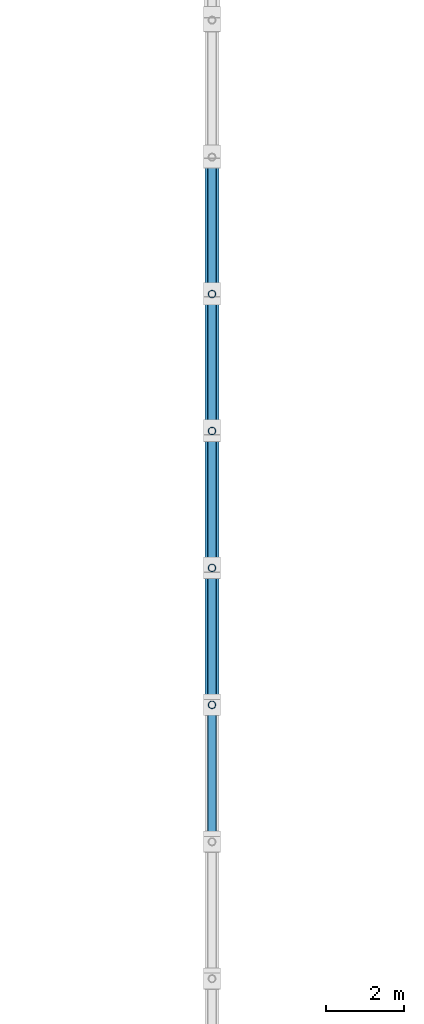
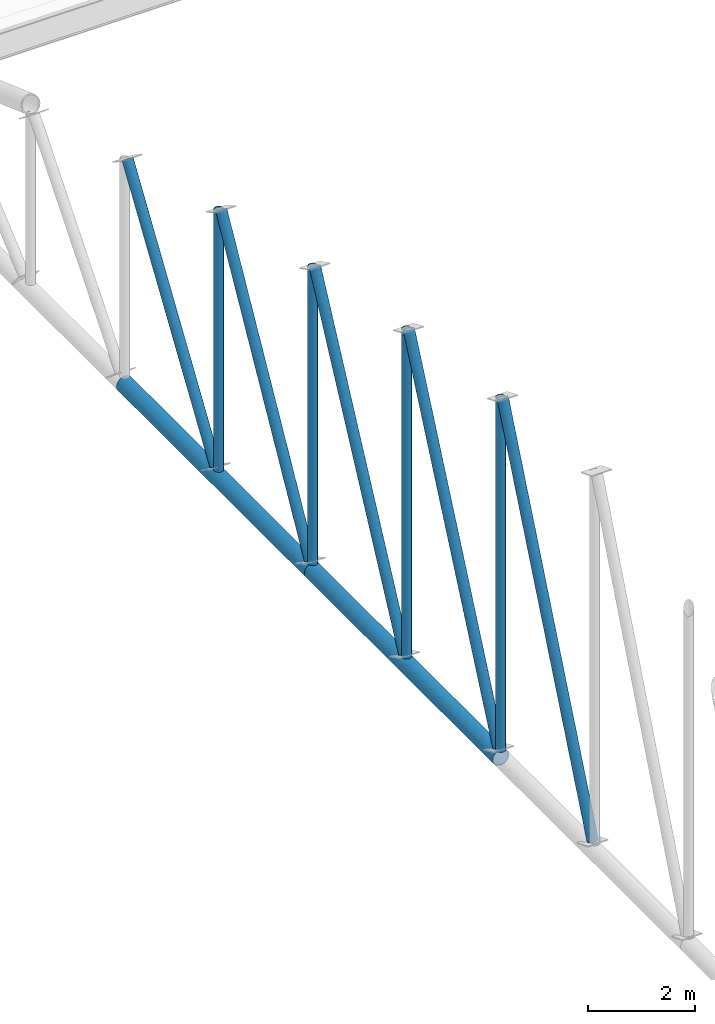
# One storey, part 76 of 196: 11 members.
"""IFC4 building model written with IfcOpenShell, lengths in metres."""

from ifc_helpers import new_model, si_unit, direction, frame, origin, origin_2d, place, context, subcontext, project, spatial, hollow_circle, extrude, material, material_profile, profile_set, type_object, element, save


model = new_model("IFC4")

# Units and contexts
model_context = context("Model", 3, precision=1e-05, world=origin(), true_north=direction((0.0, 1.0)))
body_context = subcontext(model_context, "Body", "Model", "MODEL_VIEW")
ifc_project = project(units=[si_unit("LENGTHUNIT", "METRE"), si_unit("AREAUNIT", "SQUARE_METRE"), si_unit("VOLUMEUNIT", "CUBIC_METRE"), si_unit("PLANEANGLEUNIT", "RADIAN"), si_unit("MASSUNIT", "GRAM", prefix="KILO")], contexts=[model_context])

# Site, building, storey
site_placement = place(None, origin())
site = spatial("IfcSite", under=ifc_project, at=site_placement, CompositionType="ELEMENT")
building_placement = place(site_placement, origin())
building = spatial("IfcBuilding", under=site, at=building_placement, Name="Okhra Congress Centre", CompositionType="ELEMENT")
storey_placement = place(building_placement, frame((0.0, 0.0, 12.0)))
storey = spatial("IfcBuildingStorey", under=building, at=storey_placement, Name="L02", CompositionType="ELEMENT", Elevation=12.0)

# Members
ifc_material = material(Name="Steel S355J2H", Category="steel")
ifc_material_profile_1 = material_profile(ifc_material, hollow_circle(Radius=0.096923828125, WallThickness=0.008056640625, at=origin_2d()), Name="CHS 193.7x8.0")
ifc_profile_set_1 = profile_set([ifc_material_profile_1], Name="Steel S355J2H")
member_type_1 = type_object("IfcMemberType", Name="CHS 193.7x8.0", PredefinedType="POST", material=ifc_profile_set_1)
member_1_placement = place(storey_placement, frame((100.0, 188.0, 1.577880859375), z_axis=(0.0, 0.0, 1.0), x_axis=(1.0, 0.0, 0.0)))
element("IfcMember", 1, at=member_1_placement, inside=storey, type_object=member_type_1, Name="EH.MEM.L02.T5-VER-16", PredefinedType="POST", context=body_context, shape_type="SweptSolid", body=[
    extrude(hollow_circle(Radius=0.096923828125, WallThickness=0.008056640625, at=origin_2d()), origin(), (0.0, 0.0, 1.0), 8.01708984375),
])
member_2_placement = place(storey_placement, frame((100.0, 191.5, 1.577880859375), z_axis=(0.0, 0.0, 1.0), x_axis=(1.0, 0.0, 0.0)))
element("IfcMember", 2, at=member_2_placement, inside=storey, type_object=member_type_1, Name="EH.MEM.L02.T5-VER-17", PredefinedType="POST", context=body_context, shape_type="SweptSolid", body=[
    extrude(hollow_circle(Radius=0.096923828125, WallThickness=0.008056640625, at=origin_2d()), origin(), (0.0, 0.0, 1.0), 7.448974609375),
])
member_3_placement = place(storey_placement, frame((100.0, 195.0, 1.577880859375), z_axis=(0.0, 0.0, 1.0), x_axis=(1.0, 0.0, 0.0)))
element("IfcMember", 3, at=member_3_placement, inside=storey, type_object=member_type_1, Name="EH.MEM.L02.T5-VER-18", PredefinedType="POST", context=body_context, shape_type="SweptSolid", body=[
    extrude(hollow_circle(Radius=0.096923828125, WallThickness=0.008056640625, at=origin_2d()), origin(), (0.0, 0.0, 1.0), 6.750244140625),
])
member_4_placement = place(storey_placement, frame((100.0, 198.5, 1.577880859375), z_axis=(0.0, 0.0, 1.0), x_axis=(1.0, 0.0, 0.0)))
element("IfcMember", 4, at=member_4_placement, inside=storey, type_object=member_type_1, Name="EH.MEM.L02.T5-VER-19", PredefinedType="POST", context=body_context, shape_type="SweptSolid", body=[
    extrude(hollow_circle(Radius=0.096923828125, WallThickness=0.008056640625, at=origin_2d()), origin(), (0.0, 0.0, 1.0), 5.917724609375),
])
ifc_material_profile_2 = material_profile(ifc_material, hollow_circle(Radius=0.109619140625, WallThickness=0.010009765625, at=origin_2d()), Name="CHS 219.1x10.0")
ifc_profile_set_2 = profile_set([ifc_material_profile_2], Name="Steel S355J2H")
member_type_2 = type_object("IfcMemberType", Name="CHS 219.1x10.0", PredefinedType="BRACE", material=ifc_profile_set_2)
member_5_placement = place(storey_placement, frame((100.0, 187.926513671875, 9.6240234375), z_axis=(0.0, -0.384613395842, -0.92307775173), x_axis=(1.0, 0.0, 0.0)))
element("IfcMember", 5, at=member_5_placement, inside=storey, type_object=member_type_2, Name="EH.MEM.L02.T5-DIA-15", PredefinedType="BRACE", context=body_context, shape_type="SweptSolid", body=[
    extrude(hollow_circle(Radius=0.109619140625, WallThickness=0.010009765625, at=origin_2d()), origin(), (0.0, 0.0, 1.0), 8.716552734375),
])
member_6_placement = place(storey_placement, frame((100.0, 191.42236328125, 9.0595703125), z_axis=(0.0, -0.407953800593, -0.913002572057), x_axis=(1.0, 0.0, 0.0)))
element("IfcMember", 6, at=member_6_placement, inside=storey, type_object=member_type_2, Name="EH.MEM.L02.T5-DIA-16", PredefinedType="BRACE", context=body_context, shape_type="SweptSolid", body=[
    extrude(hollow_circle(Radius=0.109619140625, WallThickness=0.010009765625, at=origin_2d()), origin(), (0.0, 0.0, 1.0), 8.194580078125),
])
member_7_placement = place(storey_placement, frame((100.0, 194.916259765625, 8.365234375), z_axis=(0.0, -0.440367038805, -0.897817838503), x_axis=(1.0, 0.0, 0.0)))
element("IfcMember", 7, at=member_7_placement, inside=storey, type_object=member_type_2, Name="EH.MEM.L02.T5-DIA-17", PredefinedType="BRACE", context=body_context, shape_type="SweptSolid", body=[
    extrude(hollow_circle(Radius=0.109619140625, WallThickness=0.010009765625, at=origin_2d()), origin(), (0.0, 0.0, 1.0), 7.559814453125),
])
member_8_placement = place(storey_placement, frame((100.0, 198.4072265625, 7.538330078125), z_axis=(0.0, -0.485332749729, -0.874329527147), x_axis=(1.0, 0.0, 0.0)))
element("IfcMember", 8, at=member_8_placement, inside=storey, type_object=member_type_2, Name="EH.MEM.L02.T5-DIA-18", PredefinedType="BRACE", context=body_context, shape_type="SweptSolid", body=[
    extrude(hollow_circle(Radius=0.109619140625, WallThickness=0.010009765625, at=origin_2d()), origin(), (0.0, 0.0, 1.0), 6.817138671875),
])
ifc_material_profile_3 = material_profile(ifc_material, hollow_circle(Radius=0.109619140625, WallThickness=0.012451171875, at=origin_2d()), Name="CHS 219.1x12.5")
ifc_profile_set_3 = profile_set([ifc_material_profile_3], Name="Steel S355J2H")
member_type_3 = type_object("IfcMemberType", Name="CHS 219.1x12.5", PredefinedType="BRACE", material=ifc_profile_set_3)
member_9_placement = place(storey_placement, frame((100.0, 201.89404296875, 6.576416015625), z_axis=(0.0, -0.548312008951, -0.836273843211), x_axis=(1.0, 0.0, 0.0)))
element("IfcMember", 9, at=member_9_placement, inside=storey, type_object=member_type_3, Name="EH.MEM.L02.T5-DIA-19", PredefinedType="BRACE", context=body_context, shape_type="SweptSolid", body=[
    extrude(hollow_circle(Radius=0.109619140625, WallThickness=0.012451171875, at=origin_2d()), origin(), (0.0, 0.0, 1.0), 5.97705078125),
])
ifc_material_profile_4 = material_profile(ifc_material, hollow_circle(Radius=0.177734375, WallThickness=0.01611328125, at=origin_2d()), Name="CHS 355.6x16.0")
ifc_profile_set_4 = profile_set([ifc_material_profile_4], Name="Steel S355J2H")
member_type_4 = type_object("IfcMemberType", Name="CHS 355.6x16.0", PredefinedType="CHORD", material=ifc_profile_set_4)
for number, where, z_axis, x_axis, name in (
    (10, (100.0, 188.0, 1.39990234375), (0.0, 1.0, 0.0), (-1.0, 0.0, 0.0), "EH.MEM.L02.T5-BOT-09"),
    (11, (100.0, 195.0, 1.39990234375), (0.0, 1.0, 0.0), (-1.0, 0.0, 0.0), "EH.MEM.L02.T5-BOT-10"),
):
    element("IfcMember", number, at=place(storey_placement, frame(where, z_axis=z_axis, x_axis=x_axis)), inside=storey, type_object=member_type_4, Name=name, PredefinedType="CHORD", context=body_context, shape_type="SweptSolid", body=[
        extrude(hollow_circle(Radius=0.177734375, WallThickness=0.01611328125, at=origin_2d()), origin(), (0.0, 0.0, 1.0), 7.0),
    ])

save(model, "model.ifc")
